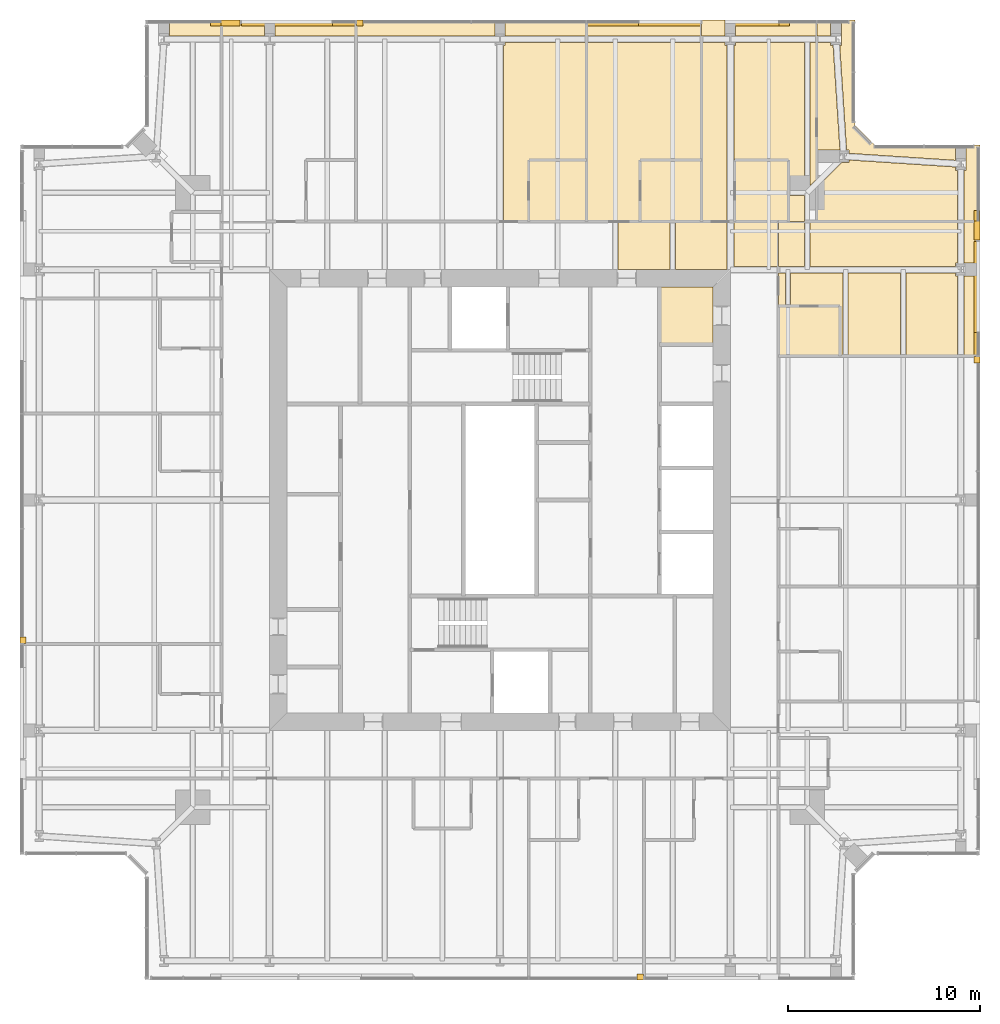
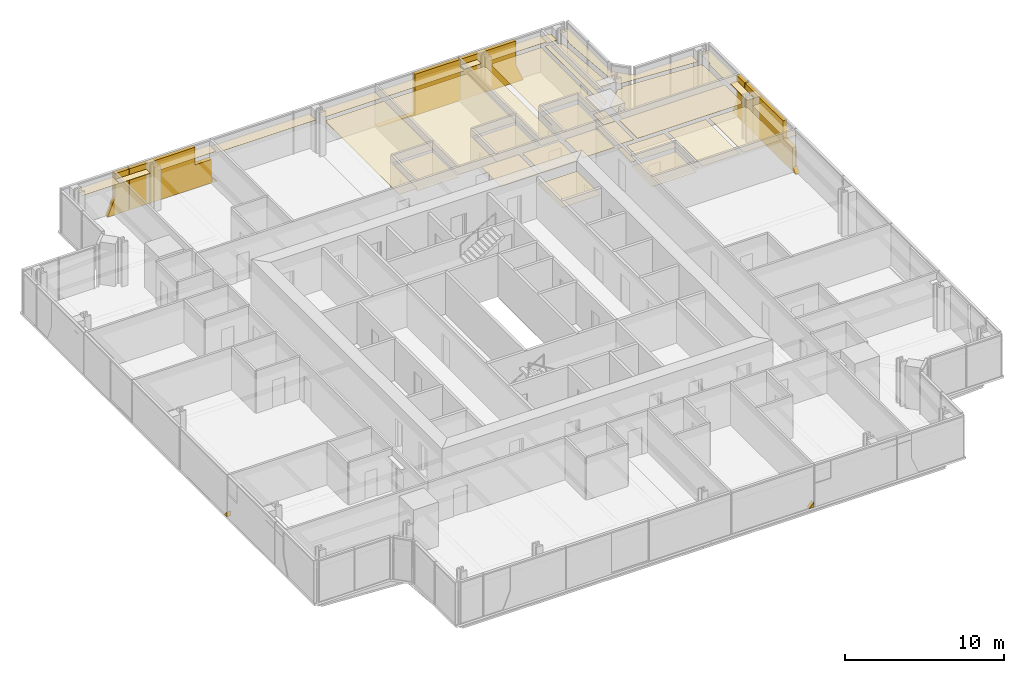
# One storey, part 18 of 18: 45 coverings.
"""IFC4 building model written with IfcOpenShell, lengths in metres."""

from ifc_helpers import new_model, si_unit, direction, frame, origin, place, context, subcontext, project, spatial, polyline, outline, extrude, material, layer, layer_set, type_object, element, save


model = new_model("IFC4")

# Units and contexts
model_context = context("Model", 3, precision=1e-05, world=origin(), true_north=direction((0.0, 1.0)))
body_context = subcontext(model_context, "Body", "Model", "MODEL_VIEW")
ifc_project = project(units=[si_unit("LENGTHUNIT", "METRE"), si_unit("AREAUNIT", "SQUARE_METRE"), si_unit("VOLUMEUNIT", "CUBIC_METRE"), si_unit("PLANEANGLEUNIT", "RADIAN"), si_unit("MASSUNIT", "GRAM", prefix="KILO")], contexts=[model_context])

# Site, building, storey
site_placement = place(None, origin())
site = spatial("IfcSite", under=ifc_project, at=site_placement, CompositionType="ELEMENT")
building_placement = place(site_placement, origin())
building = spatial("IfcBuilding", under=site, at=building_placement, Name="Fenwick Lantern Interchange", CompositionType="ELEMENT")
storey_placement = place(building_placement, frame((0.0, 0.0, 266.199951171875)))
storey = spatial("IfcBuildingStorey", under=building, at=storey_placement, Name="L63", CompositionType="ELEMENT", Elevation=266.199951171875)

# Coverings
ifc_material_1 = material(Name="Granite cladding, warm grey flamed finish, on aluminium carrier frame", Category="masonry")
ifc_layer_1 = layer(ifc_material_1, 0.300048828125)
ifc_layer_set_1 = layer_set([ifc_layer_1], Name="BRACE CASING PANEL 300")
covering_type_1 = type_object("IfcCoveringType", Name="BRACE CASING PANEL 300", PredefinedType="CLADDING", material=ifc_layer_set_1)
for number, where, z_axis, x_axis, name in (
    (1, (6.60009765625, 0.10009765625, 0.0), (0.0, 0.0, 1.0), (1.0, 0.0, 0.0), "Brace casing 01 bay 04a"),
    (2, (49.89990234375, 6.60009765625, 0.0), (0.0, 0.0, 1.0), (0.0, 1.0, 0.0), "Brace casing 05 bay 04a"),
):
    element("IfcCovering", number, at=place(storey_placement, frame(where, z_axis=z_axis, x_axis=x_axis)), inside=storey, type_object=covering_type_1, Name=name, PredefinedType="CLADDING", context=body_context, shape_type="SweptSolid", body=[
        extrude(outline(polyline([(25.5341796875, 0.0), (25.8701171875, 0.0), (25.8701171875, 0.380615234375), (25.5341796875, 0.0)])), frame((0.0, 0.2099609375, 0.0), z_axis=(0.0, -1.0, 0.0), x_axis=(1.0, 0.0, 0.0)), (0.0, 0.0, 1.0), 0.300048828125),
    ])
covering_1_placement = place(storey_placement, frame((49.89990234375, 6.60009765625, 0.0), z_axis=(0.0, 0.0, 1.0), x_axis=(0.0, 1.0, 0.0)))
element("IfcCovering", 3, at=covering_1_placement, inside=storey, type_object=covering_type_1, Name="Brace casing 05 bay 05a", PredefinedType="CLADDING", context=body_context, shape_type="SweptSolid", body=[
    extrude(outline(polyline([(25.929931640625, 0.0), (31.8701171875, 0.0), (31.8701171875, 3.150146484375), (27.1201171875, 3.150146484375), (27.1201171875, 1.79736328125), (25.929931640625, 1.79736328125), (25.929931640625, 0.0)])), frame((0.0, 0.2099609375, 0.0), z_axis=(0.0, -1.0, 0.0), x_axis=(1.0, 0.0, 0.0)), (0.0, 0.0, 1.0), 0.300048828125),
])
covering_2_placement = place(storey_placement, frame((49.89990234375, 6.60009765625, 0.0), z_axis=(0.0, 0.0, 1.0), x_axis=(0.0, 1.0, 0.0)))
element("IfcCovering", 4, at=covering_2_placement, inside=storey, type_object=covering_type_1, Name="Brace casing 05 bay 06a", PredefinedType="CLADDING", context=body_context, shape_type="SweptSolid", body=[
    extrude(outline(polyline([(31.929931640625, 0.0), (33.471435546875, 0.0), (32.940673828125, 1.31298828125), (32.940673828125, 3.150146484375), (31.929931640625, 3.150146484375), (31.929931640625, 0.0)])), frame((0.0, 0.2099609375, 0.0), z_axis=(0.0, -1.0, 0.0), x_axis=(1.0, 0.0, 0.0)), (0.0, 0.0, 1.0), 0.300048828125),
])
covering_3_placement = place(storey_placement, frame((43.39990234375, 49.89990234375, 0.0), z_axis=(0.0, 0.0, 1.0), x_axis=(-1.0, 0.0, 0.0)))
element("IfcCovering", 5, at=covering_3_placement, inside=storey, type_object=covering_type_1, Name="Brace casing 09 bay 01a", PredefinedType="CLADDING", context=body_context, shape_type="SweptSolid", body=[
    extrude(outline(polyline([(3.328369140625, 0.0), (7.8701171875, 0.0), (7.8701171875, 3.150146484375), (3.859375, 3.150146484375), (3.859375, 1.31298828125), (3.328369140625, 0.0)])), frame((0.0, 0.2099609375, 0.0), z_axis=(0.0, -1.0, 0.0), x_axis=(1.0, 0.0, 0.0)), (0.0, 0.0, 1.0), 0.300048828125),
])
covering_4_placement = place(storey_placement, frame((43.39990234375, 49.89990234375, 0.0), z_axis=(0.0, 0.0, 1.0), x_axis=(-1.0, 0.0, 0.0)))
element("IfcCovering", 6, at=covering_4_placement, inside=storey, type_object=covering_type_1, Name="Brace casing 09 bay 02a", PredefinedType="CLADDING", context=body_context, shape_type="SweptSolid", body=[
    extrude(outline(polyline([(7.929931640625, 0.0), (13.8701171875, 0.0), (13.8701171875, 0.0966796875), (11.180419921875, 0.0966796875), (11.180419921875, 3.150146484375), (7.929931640625, 3.150146484375), (7.929931640625, 0.0)])), frame((0.0, 0.2099609375, 0.0), z_axis=(0.0, -1.0, 0.0), x_axis=(1.0, 0.0, 0.0)), (0.0, 0.0, 1.0), 0.300048828125),
])
covering_5_placement = place(storey_placement, frame((43.39990234375, 49.89990234375, 0.0), z_axis=(0.0, 0.0, 1.0), x_axis=(-1.0, 0.0, 0.0)))
element("IfcCovering", 7, at=covering_5_placement, inside=storey, type_object=covering_type_1, Name="Brace casing 09 bay 04a", PredefinedType="CLADDING", context=body_context, shape_type="SweptSolid", body=[
    extrude(outline(polyline([(25.5341796875, 0.0), (25.8701171875, 0.0), (25.8701171875, 0.380615234375), (25.5341796875, 0.0)])), frame((0.0, 0.2099609375, 0.0), z_axis=(0.0, -1.0, 0.0), x_axis=(1.0, 0.0, 0.0)), (0.0, 0.0, 1.0), 0.300048828125),
])
covering_6_placement = place(storey_placement, frame((43.39990234375, 49.89990234375, 0.0), z_axis=(0.0, 0.0, 1.0), x_axis=(-1.0, 0.0, 0.0)))
element("IfcCovering", 8, at=covering_6_placement, inside=storey, type_object=covering_type_1, Name="Brace casing 09 bay 05a", PredefinedType="CLADDING", context=body_context, shape_type="SweptSolid", body=[
    extrude(outline(polyline([(25.929931640625, 0.0), (31.8701171875, 0.0), (31.8701171875, 3.150146484375), (27.1201171875, 3.150146484375), (27.1201171875, 1.79736328125), (25.929931640625, 1.79736328125), (25.929931640625, 0.0)])), frame((0.0, 0.2099609375, 0.0), z_axis=(0.0, -1.0, 0.0), x_axis=(1.0, 0.0, 0.0)), (0.0, 0.0, 1.0), 0.300048828125),
])
covering_7_placement = place(storey_placement, frame((43.39990234375, 49.89990234375, 0.0), z_axis=(0.0, 0.0, 1.0), x_axis=(-1.0, 0.0, 0.0)))
element("IfcCovering", 9, at=covering_7_placement, inside=storey, type_object=covering_type_1, Name="Brace casing 09 bay 06a", PredefinedType="CLADDING", context=body_context, shape_type="SweptSolid", body=[
    extrude(outline(polyline([(31.929931640625, 0.0), (33.471435546875, 0.0), (32.940673828125, 1.31298828125), (32.940673828125, 3.150146484375), (31.929931640625, 3.150146484375), (31.929931640625, 0.0)])), frame((0.0, 0.2099609375, 0.0), z_axis=(0.0, -1.0, 0.0), x_axis=(1.0, 0.0, 0.0)), (0.0, 0.0, 1.0), 0.300048828125),
])
covering_8_placement = place(storey_placement, frame((0.10009765625, 43.39990234375, 0.0), z_axis=(0.0, 0.0, 1.0), x_axis=(0.0, -1.0, 0.0)))
element("IfcCovering", 10, at=covering_8_placement, inside=storey, type_object=covering_type_1, Name="Brace casing 13 bay 04a", PredefinedType="CLADDING", context=body_context, shape_type="SweptSolid", body=[
    extrude(outline(polyline([(25.5341796875, 0.0), (25.8701171875, 0.0), (25.8701171875, 0.380615234375), (25.5341796875, 0.0)])), frame((0.0, 0.2099609375, 0.0), z_axis=(0.0, -1.0, 0.0), x_axis=(1.0, 0.0, 0.0)), (0.0, 0.0, 1.0), 0.300048828125),
])
ifc_material_2 = material(Name="Moisture resistant gypsum board on suspended frame, painted")
ifc_layer_2 = layer(ifc_material_2, 0.014892578125)
ifc_layer_set_2 = layer_set([ifc_layer_2], Name="MOISTURE RESISTANT CEILING 15")
covering_type_2 = type_object("IfcCoveringType", Name="MOISTURE RESISTANT CEILING 15", PredefinedType="CEILING", material=ifc_layer_set_2)
covering_9_placement = place(storey_placement, frame((0.0, 0.0, 2.60009765625)))
element("IfcCovering", 11, at=covering_9_placement, inside=storey, type_object=covering_type_2, Name="Accessible WC ceiling", PredefinedType="CEILING", context=body_context, shape_type="SweptSolid", body=[
    extrude(outline(polyline([(36.10009765625, 36.10009765625), (33.300048828125, 36.10009765625), (33.300048828125, 33.10009765625), (36.10009765625, 33.10009765625), (36.10009765625, 36.10009765625)])), origin(), (0.0, 0.0, 1.0), 0.014892578125),
])
covering_10_placement = place(storey_placement, frame((0.0, 0.0, 2.400146484375)))
element("IfcCovering", 12, at=covering_10_placement, inside=storey, type_object=covering_type_2, Name="En-suite 6306 ceiling", PredefinedType="CEILING", context=body_context, shape_type="SweptSolid", body=[
    extrude(outline(polyline([(42.699951171875, 32.5), (42.699951171875, 35.10009765625), (39.5, 35.10009765625), (39.5, 32.5), (42.699951171875, 32.5)])), origin(), (0.0, 0.0, 1.0), 0.014892578125),
])
covering_11_placement = place(storey_placement, frame((0.0, 0.0, 2.400146484375)))
element("IfcCovering", 13, at=covering_11_placement, inside=storey, type_object=covering_type_2, Name="En-suite 6307 ceiling", PredefinedType="CEILING", context=body_context, shape_type="SweptSolid", body=[
    extrude(outline(polyline([(40.02490234375, 42.699951171875), (37.22509765625, 42.699951171875), (37.22509765625, 39.5), (40.02490234375, 39.5), (40.02490234375, 42.699951171875)])), origin(), (0.0, 0.0, 1.0), 0.014892578125),
])
covering_12_placement = place(storey_placement, frame((0.0, 0.0, 2.400146484375)))
element("IfcCovering", 14, at=covering_12_placement, inside=storey, type_object=covering_type_2, Name="En-suite 6308 ceiling", PredefinedType="CEILING", context=body_context, shape_type="SweptSolid", body=[
    extrude(outline(polyline([(35.5, 42.699951171875), (32.300048828125, 42.699951171875), (32.300048828125, 39.5), (35.5, 39.5), (35.5, 42.699951171875)])), origin(), (0.0, 0.0, 1.0), 0.014892578125),
])
covering_13_placement = place(storey_placement, frame((0.0, 0.0, 2.400146484375)))
element("IfcCovering", 15, at=covering_13_placement, inside=storey, type_object=covering_type_2, Name="En-suite 6309 ceiling", PredefinedType="CEILING", context=body_context, shape_type="SweptSolid", body=[
    extrude(outline(polyline([(29.5, 42.699951171875), (26.5, 42.699951171875), (26.5, 39.5), (29.5, 39.5), (29.5, 42.699951171875)])), origin(), (0.0, 0.0, 1.0), 0.014892578125),
])
ifc_material_3 = material(Name="Gypsum plasterboard on suspended frame, painted")
ifc_layer_3 = layer(ifc_material_3, 0.014892578125)
ifc_layer_set_3 = layer_set([ifc_layer_3], Name="PLASTERBOARD CEILING 15")
covering_type_3 = type_object("IfcCoveringType", Name="PLASTERBOARD CEILING 15", PredefinedType="CEILING", material=ifc_layer_set_3)
covering_14_placement = place(storey_placement, frame((0.0, 0.0, 2.60009765625)))
element("IfcCovering", 16, at=covering_14_placement, inside=storey, type_object=covering_type_3, Name="Corridor ceiling", PredefinedType="CEILING", context=body_context, shape_type="SweptSolid", body=[
    extrude(outline(polyline([(33.865478515625, 39.5), (31.134521484375, 39.5), (31.134521484375, 37.0), (33.865478515625, 37.0), (33.865478515625, 39.5)])), origin(), (0.0, 0.0, 1.0), 0.014892578125),
])
covering_15_placement = place(storey_placement, frame((0.0, 0.0, 2.60009765625)))
element("IfcCovering", 17, at=covering_15_placement, inside=storey, type_object=covering_type_3, Name="Corridor ceiling", PredefinedType="CEILING", context=body_context, shape_type="SweptSolid", body=[
    extrude(outline(polyline([(36.816162109375, 39.5), (34.134521484375, 39.5), (34.134521484375, 37.0), (36.816162109375, 37.0), (36.816162109375, 39.5)])), origin(), (0.0, 0.0, 1.0), 0.014892578125),
])
covering_16_placement = place(storey_placement, frame((0.0, 0.0, 2.60009765625)))
element("IfcCovering", 18, at=covering_16_placement, inside=storey, type_object=covering_type_3, Name="Corridor ceiling", PredefinedType="CEILING", context=body_context, shape_type="SweptSolid", body=[
    extrude(outline(polyline([(39.5, 39.5), (37.183837890625, 39.5), (37.183837890625, 37.166015625), (39.5, 37.166015625), (39.5, 39.5)])), origin(), (0.0, 0.0, 1.0), 0.014892578125),
])
covering_17_placement = place(storey_placement, frame((0.0, 0.0, 2.699951171875)))
element("IfcCovering", 19, at=covering_17_placement, inside=storey, type_object=covering_type_3, Name="Guest room 6306 ceiling", PredefinedType="CEILING", context=body_context, shape_type="SweptSolid", body=[
    extrude(outline(polyline([(48.72265625, 37.33447265625), (48.82763671875, 37.33447265625), (48.82763671875, 39.5), (41.134521484375, 39.5), (41.134521484375, 37.166015625), (48.72265625, 37.166015625), (48.72265625, 37.33447265625)])), origin(), (0.0, 0.0, 1.0), 0.01513671875),
])
covering_18_placement = place(storey_placement, frame((0.0, 0.0, 2.699951171875)))
element("IfcCovering", 20, at=covering_18_placement, inside=storey, type_object=covering_type_3, Name="Guest room 6306 ceiling", PredefinedType="CEILING", context=body_context, shape_type="SweptSolid", body=[
    extrude(outline(polyline([(43.134521484375, 32.5), (45.865478515625, 32.5), (45.865478515625, 36.833984375), (43.134521484375, 36.833984375), (43.134521484375, 32.5)])), origin(), (0.0, 0.0, 1.0), 0.01513671875),
])
covering_19_placement = place(storey_placement, frame((0.0, 0.0, 2.699951171875)))
element("IfcCovering", 21, at=covering_19_placement, inside=storey, type_object=covering_type_3, Name="Guest room 6306 ceiling", PredefinedType="CEILING", context=body_context, shape_type="SweptSolid", body=[
    extrude(outline(polyline([(48.72265625, 36.66552734375), (48.72265625, 36.833984375), (46.134521484375, 36.833984375), (46.134521484375, 32.5), (48.82763671875, 32.5), (48.82763671875, 36.66552734375), (48.72265625, 36.66552734375)])), origin(), (0.0, 0.0, 1.0), 0.01513671875),
])
covering_20_placement = place(storey_placement, frame((0.0, 0.0, 2.699951171875)))
element("IfcCovering", 22, at=covering_20_placement, inside=storey, type_object=covering_type_3, Name="Guest room 6306 ceiling", PredefinedType="CEILING", context=body_context, shape_type="SweptSolid", body=[
    extrude(outline(polyline([(42.699951171875, 32.5), (42.865478515625, 32.5), (42.865478515625, 36.833984375), (40.134521484375, 36.833984375), (40.134521484375, 35.10009765625), (42.699951171875, 35.10009765625), (42.699951171875, 32.5)])), origin(), (0.0, 0.0, 1.0), 0.01513671875),
])
covering_21_placement = place(storey_placement, frame((0.0, 0.0, 2.699951171875)))
element("IfcCovering", 23, at=covering_21_placement, inside=storey, type_object=covering_type_3, Name="Guest room 6306 ceiling", PredefinedType="CEILING", context=body_context, shape_type="SweptSolid", body=[
    extrude(outline(polyline([(50.0, 36.66552734375), (49.17236328125, 36.66552734375), (49.17236328125, 32.5), (50.0, 32.5), (50.0, 36.66552734375)])), origin(), (0.0, 0.0, 1.0), 0.01513671875),
])
covering_22_placement = place(storey_placement, frame((0.0, 0.0, 2.699951171875)))
element("IfcCovering", 24, at=covering_22_placement, inside=storey, type_object=covering_type_3, Name="Guest room 6306 ceiling", PredefinedType="CEILING", context=body_context, shape_type="SweptSolid", body=[
    extrude(outline(polyline([(39.5, 39.5), (39.5, 37.166015625), (40.865478515625, 37.166015625), (40.865478515625, 39.5), (39.5, 39.5)])), origin(), (0.0, 0.0, 1.0), 0.01513671875),
])
covering_23_placement = place(storey_placement, frame((0.0, 0.0, 2.699951171875)))
element("IfcCovering", 25, at=covering_23_placement, inside=storey, type_object=covering_type_3, Name="Guest room 6306 ceiling", PredefinedType="CEILING", context=body_context, shape_type="SweptSolid", body=[
    extrude(outline(polyline([(50.0, 37.33447265625), (50.0, 39.5), (49.17236328125, 39.5), (49.17236328125, 37.33447265625), (50.0, 37.33447265625)])), origin(), (0.0, 0.0, 1.0), 0.01513671875),
])
covering_24_placement = place(storey_placement, frame((0.0, 0.0, 2.699951171875)))
element("IfcCovering", 26, at=covering_24_placement, inside=storey, type_object=covering_type_3, Name="Guest room 6306 ceiling", PredefinedType="CEILING", context=body_context, shape_type="SweptSolid", body=[
    extrude(outline(polyline([(39.5, 35.10009765625), (39.865478515625, 35.10009765625), (39.865478515625, 36.833984375), (39.5, 36.833984375), (39.5, 35.10009765625)])), origin(), (0.0, 0.0, 1.0), 0.01513671875),
])
covering_25_placement = place(storey_placement, frame((0.0, 0.0, 2.572998046875)))
element("IfcCovering", 27, at=covering_25_placement, inside=storey, type_object=covering_type_3, Name="Guest suite 6307 sitting room ceiling", PredefinedType="CEILING", context=body_context, shape_type="SweptSolid", body=[
    extrude(outline(polyline([(48.82763671875, 42.16552734375), (48.72265625, 42.16552734375), (48.72265625, 42.345458984375), (43.17724609375, 42.708984375), (43.17724609375, 42.5654296875), (42.782470703125, 42.5654296875), (41.5, 41.283203125), (41.5, 39.5), (48.82763671875, 39.5), (48.82763671875, 42.16552734375)])), origin(), (0.0, 0.0, 1.0), 0.014892578125),
])
covering_26_placement = place(storey_placement, frame((0.0, 0.0, 2.572998046875)))
element("IfcCovering", 28, at=covering_26_placement, inside=storey, type_object=covering_type_3, Name="Guest suite 6307 sitting room ceiling", PredefinedType="CEILING", context=body_context, shape_type="SweptSolid", body=[
    extrude(outline(polyline([(43.17724609375, 43.234375), (43.17724609375, 43.0546875), (48.72265625, 42.69091796875), (48.72265625, 43.5), (44.5, 43.5), (43.5, 44.5), (43.5, 50.0), (42.77734375, 50.0), (42.77734375, 48.66552734375), (42.69482421875, 48.66552734375), (43.05078125, 43.234375), (43.17724609375, 43.234375)])), origin(), (0.0, 0.0, 1.0), 0.014892578125),
])
covering_27_placement = place(storey_placement, frame((0.0, 0.0, 2.572998046875)))
element("IfcCovering", 29, at=covering_27_placement, inside=storey, type_object=covering_type_3, Name="Guest suite 6307 sitting room ceiling", PredefinedType="CEILING", context=body_context, shape_type="SweptSolid", body=[
    extrude(outline(polyline([(41.5, 43.234375), (42.705322265625, 43.234375), (42.34912109375, 48.66552734375), (42.22265625, 48.66552734375), (42.22265625, 48.82763671875), (41.5, 48.82763671875), (41.5, 43.234375)])), origin(), (0.0, 0.0, 1.0), 0.014892578125),
])
covering_28_placement = place(storey_placement, frame((0.0, 0.0, 2.572998046875)))
element("IfcCovering", 30, at=covering_28_placement, inside=storey, type_object=covering_type_3, Name="Guest suite 6307 sitting room ceiling", PredefinedType="CEILING", context=body_context, shape_type="SweptSolid", body=[
    extrude(outline(polyline([(49.27734375, 42.16552734375), (49.17236328125, 42.16552734375), (49.17236328125, 39.5), (50.0, 39.5), (50.0, 43.5), (49.27734375, 43.5), (49.27734375, 42.16552734375)])), origin(), (0.0, 0.0, 1.0), 0.014892578125),
])
covering_29_placement = place(storey_placement, frame((0.0, 0.0, 2.572998046875)))
element("IfcCovering", 31, at=covering_29_placement, inside=storey, type_object=covering_type_3, Name="Guest suite 6307 sitting room ceiling", PredefinedType="CEILING", context=body_context, shape_type="SweptSolid", body=[
    extrude(outline(polyline([(41.5, 50.0), (41.5, 49.17236328125), (42.22265625, 49.17236328125), (42.22265625, 50.0), (41.5, 50.0)])), origin(), (0.0, 0.0, 1.0), 0.014892578125),
])
covering_30_placement = place(storey_placement, frame((0.0, 0.0, 2.699951171875)))
element("IfcCovering", 32, at=covering_30_placement, inside=storey, type_object=covering_type_3, Name="Guest suite 6307 bedroom ceiling", PredefinedType="CEILING", context=body_context, shape_type="SweptSolid", body=[
    extrude(outline(polyline([(37.27734375, 48.66552734375), (37.183837890625, 48.66552734375), (37.183837890625, 41.134521484375), (37.22509765625, 41.134521484375), (37.22509765625, 42.699951171875), (40.02490234375, 42.699951171875), (40.02490234375, 41.134521484375), (40.865478515625, 41.134521484375), (40.865478515625, 48.82763671875), (37.27734375, 48.82763671875), (37.27734375, 48.66552734375)])), origin(), (0.0, 0.0, 1.0), 0.01513671875),
])
covering_31_placement = place(storey_placement, frame((0.0, 0.0, 2.699951171875)))
element("IfcCovering", 33, at=covering_31_placement, inside=storey, type_object=covering_type_3, Name="Guest suite 6307 bedroom ceiling", PredefinedType="CEILING", context=body_context, shape_type="SweptSolid", body=[
    extrude(outline(polyline([(36.72265625, 48.66552734375), (36.72265625, 48.82763671875), (35.5, 48.82763671875), (35.5, 39.5), (36.816162109375, 39.5), (36.816162109375, 48.66552734375), (36.72265625, 48.66552734375)])), origin(), (0.0, 0.0, 1.0), 0.01513671875),
])
covering_32_placement = place(storey_placement, frame((0.0, 0.0, 2.699951171875)))
element("IfcCovering", 34, at=covering_32_placement, inside=storey, type_object=covering_type_3, Name="Guest suite 6307 bedroom ceiling", PredefinedType="CEILING", context=body_context, shape_type="SweptSolid", body=[
    extrude(outline(polyline([(37.27734375, 50.0), (37.27734375, 49.17236328125), (41.5, 49.17236328125), (41.5, 50.0), (37.27734375, 50.0)])), origin(), (0.0, 0.0, 1.0), 0.01513671875),
])
covering_33_placement = place(storey_placement, frame((0.0, 0.0, 2.699951171875)))
element("IfcCovering", 35, at=covering_33_placement, inside=storey, type_object=covering_type_3, Name="Guest suite 6307 bedroom ceiling", PredefinedType="CEILING", context=body_context, shape_type="SweptSolid", body=[
    extrude(outline(polyline([(41.5, 41.716796875), (41.5, 48.82763671875), (41.134521484375, 48.82763671875), (41.134521484375, 41.351318359375), (41.5, 41.716796875)])), origin(), (0.0, 0.0, 1.0), 0.01513671875),
])
covering_34_placement = place(storey_placement, frame((0.0, 0.0, 2.699951171875)))
element("IfcCovering", 36, at=covering_34_placement, inside=storey, type_object=covering_type_3, Name="Guest suite 6307 bedroom ceiling", PredefinedType="CEILING", context=body_context, shape_type="SweptSolid", body=[
    extrude(outline(polyline([(40.02490234375, 39.5), (40.865478515625, 39.5), (40.865478515625, 40.865478515625), (40.02490234375, 40.865478515625), (40.02490234375, 39.5)])), origin(), (0.0, 0.0, 1.0), 0.01513671875),
])
covering_35_placement = place(storey_placement, frame((0.0, 0.0, 2.699951171875)))
element("IfcCovering", 37, at=covering_35_placement, inside=storey, type_object=covering_type_3, Name="Guest suite 6307 bedroom ceiling", PredefinedType="CEILING", context=body_context, shape_type="SweptSolid", body=[
    extrude(outline(polyline([(36.72265625, 50.0), (35.5, 50.0), (35.5, 49.17236328125), (36.72265625, 49.17236328125), (36.72265625, 50.0)])), origin(), (0.0, 0.0, 1.0), 0.01513671875),
])
covering_36_placement = place(storey_placement, frame((0.0, 0.0, 2.572998046875)))
element("IfcCovering", 38, at=covering_36_placement, inside=storey, type_object=covering_type_3, Name="Guest room 6308 ceiling", PredefinedType="CEILING", context=body_context, shape_type="SweptSolid", body=[
    extrude(outline(polyline([(29.5, 48.82763671875), (29.5, 39.5), (32.300048828125, 39.5), (32.300048828125, 42.699951171875), (35.5, 42.699951171875), (35.5, 48.82763671875), (29.5, 48.82763671875)])), origin(), (0.0, 0.0, 1.0), 0.014892578125),
])
covering_37_placement = place(storey_placement, frame((0.0, 0.0, 2.572998046875)))
element("IfcCovering", 39, at=covering_37_placement, inside=storey, type_object=covering_type_3, Name="Guest room 6308 ceiling", PredefinedType="CEILING", context=body_context, shape_type="SweptSolid", body=[
    extrude(outline(polyline([(29.5, 50.0), (29.5, 49.17236328125), (35.5, 49.17236328125), (35.5, 50.0), (29.5, 50.0)])), origin(), (0.0, 0.0, 1.0), 0.014892578125),
])
covering_38_placement = place(storey_placement, frame((0.0, 0.0, 2.572998046875)))
element("IfcCovering", 40, at=covering_38_placement, inside=storey, type_object=covering_type_3, Name="Guest suite 6309 ceiling", PredefinedType="CEILING", context=body_context, shape_type="SweptSolid", body=[
    extrude(outline(polyline([(25.27099609375, 48.6845703125), (25.183837890625, 48.6845703125), (25.183837890625, 39.5), (26.5, 39.5), (26.5, 42.699951171875), (29.5, 42.699951171875), (29.5, 48.82763671875), (25.27099609375, 48.82763671875), (25.27099609375, 48.6845703125)])), origin(), (0.0, 0.0, 1.0), 0.014892578125),
])
covering_39_placement = place(storey_placement, frame((0.0, 0.0, 2.572998046875)))
element("IfcCovering", 41, at=covering_39_placement, inside=storey, type_object=covering_type_3, Name="Guest suite 6309 ceiling", PredefinedType="CEILING", context=body_context, shape_type="SweptSolid", body=[
    extrude(outline(polyline([(24.72900390625, 50.0), (17.5, 50.0), (17.5, 49.17236328125), (24.72900390625, 49.17236328125), (24.72900390625, 50.0)])), origin(), (0.0, 0.0, 1.0), 0.014892578125),
])
covering_40_placement = place(storey_placement, frame((0.0, 0.0, 2.572998046875)))
element("IfcCovering", 42, at=covering_40_placement, inside=storey, type_object=covering_type_3, Name="Guest suite 6309 ceiling", PredefinedType="CEILING", context=body_context, shape_type="SweptSolid", body=[
    extrude(outline(polyline([(25.27099609375, 50.0), (25.27099609375, 49.17236328125), (29.5, 49.17236328125), (29.5, 50.0), (25.27099609375, 50.0)])), origin(), (0.0, 0.0, 1.0), 0.014892578125),
])
covering_41_placement = place(storey_placement, frame((0.0, 0.0, 2.699951171875)))
element("IfcCovering", 43, at=covering_41_placement, inside=storey, type_object=covering_type_3, Name="Guest room 6310 ceiling", PredefinedType="CEILING", context=body_context, shape_type="SweptSolid", body=[
    extrude(outline(polyline([(13.27734375, 50.0), (13.27734375, 49.17236328125), (17.5, 49.17236328125), (17.5, 50.0), (13.27734375, 50.0)])), origin(), (0.0, 0.0, 1.0), 0.01513671875),
])
covering_42_placement = place(storey_placement, frame((0.0, 0.0, 2.699951171875)))
element("IfcCovering", 44, at=covering_42_placement, inside=storey, type_object=covering_type_3, Name="Guest room 6310 ceiling", PredefinedType="CEILING", context=body_context, shape_type="SweptSolid", body=[
    extrude(outline(polyline([(12.72265625, 50.0), (10.5, 50.0), (10.5, 49.17236328125), (12.72265625, 49.17236328125), (12.72265625, 50.0)])), origin(), (0.0, 0.0, 1.0), 0.01513671875),
])
covering_43_placement = place(storey_placement, frame((0.0, 0.0, 2.699951171875)))
element("IfcCovering", 45, at=covering_43_placement, inside=storey, type_object=covering_type_3, Name="Guest suite 6311 ceiling", PredefinedType="CEILING", context=body_context, shape_type="SweptSolid", body=[
    extrude(outline(polyline([(7.77734375, 50.0), (7.77734375, 49.17236328125), (10.5, 49.17236328125), (10.5, 50.0), (7.77734375, 50.0)])), origin(), (0.0, 0.0, 1.0), 0.01513671875),
])

save(model, "model.ifc")
